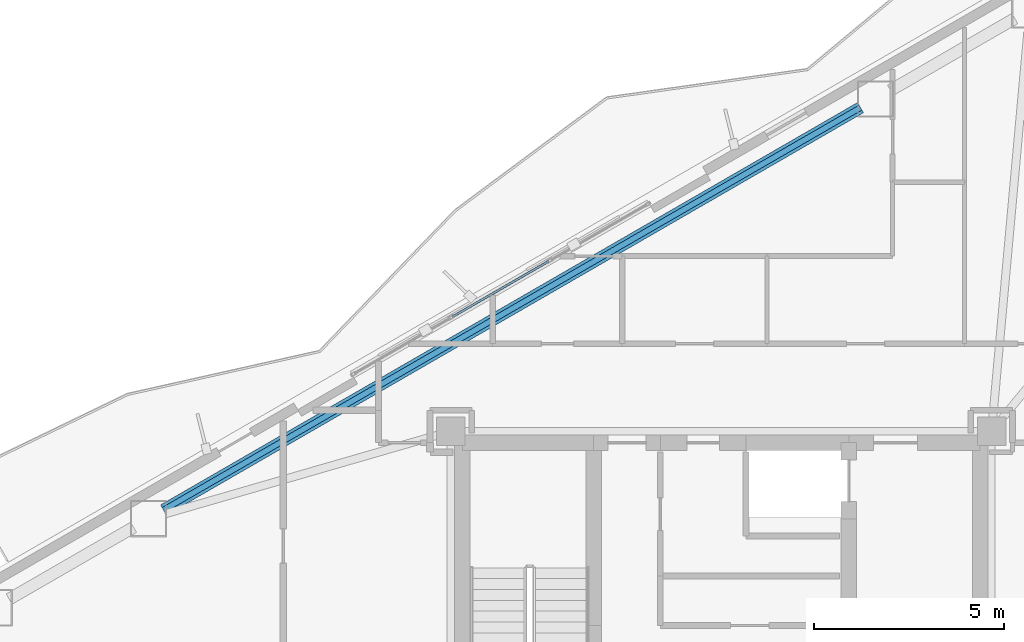
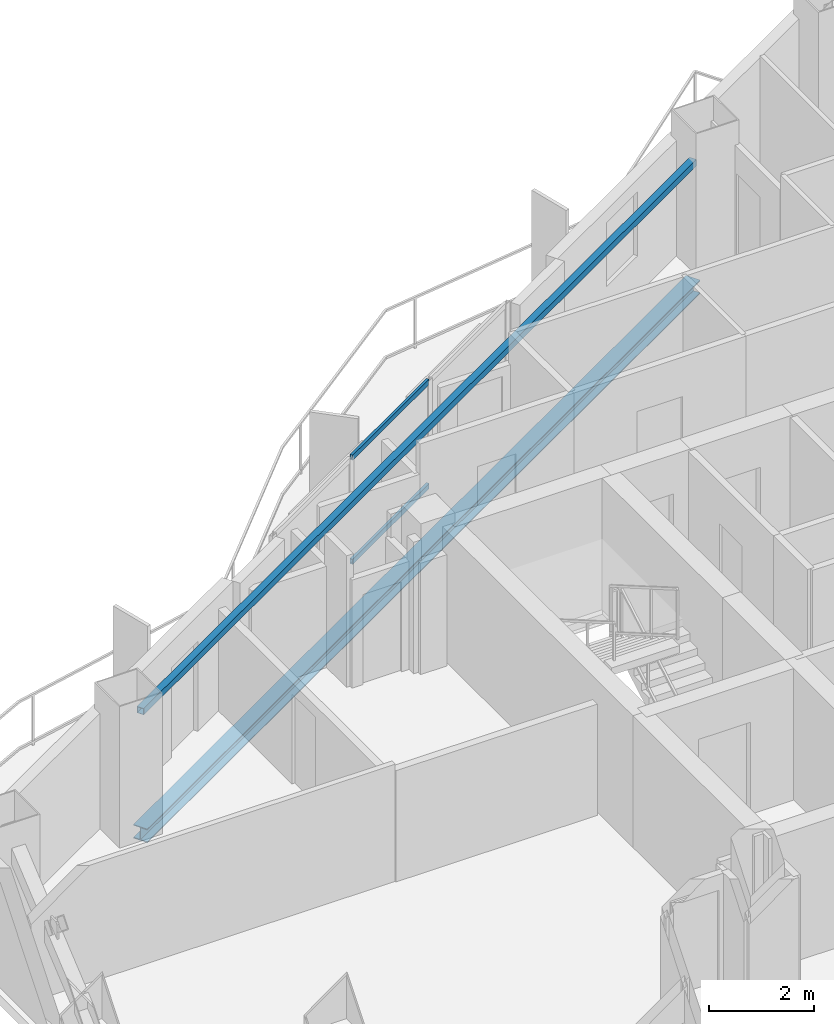
# One storey, part 9 of 21: 2 beams, 2 members, 1 element without a shape of its own.
"""IFC4 building model written with IfcOpenShell, lengths in metres."""

from ifc_helpers import new_model, si_unit, direction, frame, origin, origin_2d, place, context, subcontext, project, spatial, hollow_rectangle, i_section, extrude, material, layer, layer_set, material_profile, profile_set, type_object, element, aggregate, save


model = new_model("IFC4")

# Units and contexts
model_context = context("Model", 3, precision=1e-05, world=origin(), true_north=direction((0.0, 1.0)))
body_context = subcontext(model_context, "Body", "Model", "MODEL_VIEW")
ifc_project = project(units=[si_unit("LENGTHUNIT", "METRE"), si_unit("AREAUNIT", "SQUARE_METRE"), si_unit("VOLUMEUNIT", "CUBIC_METRE"), si_unit("PLANEANGLEUNIT", "RADIAN"), si_unit("MASSUNIT", "GRAM", prefix="KILO")], contexts=[model_context])

# Site, building, storey
site_placement = place(None, origin())
site = spatial("IfcSite", under=ifc_project, at=site_placement, CompositionType="ELEMENT")
building_placement = place(site_placement, origin())
building = spatial("IfcBuilding", under=site, at=building_placement, Name="Mersakhor Tower and Convention Hall", CompositionType="ELEMENT")
storey_placement = place(building_placement, frame((0.0, 0.0, 178.800048828125)))
storey = spatial("IfcBuildingStorey", under=building, at=storey_placement, Name="L49", CompositionType="ELEMENT", Elevation=178.800048828125)

# Beams
ifc_material_1 = material(Name="Steel S355", Category="steel")
ifc_material_profile_1 = material_profile(ifc_material_1, hollow_rectangle(XDim=0.14990234375, YDim=0.14990234375, WallThickness=0.010009765625, at=origin_2d()), Name="SHS 150x150x10")
ifc_profile_set_1 = profile_set([ifc_material_profile_1], Name="Steel S355")
beam_type_1 = type_object("IfcBeamType", Name="BM-GRT-SHS150", PredefinedType="USERDEFINED", material=ifc_profile_set_1)
beam_1_placement = place(storey_placement, frame((14.353759765625, 30.982421875, 2.47998046875), z_axis=(0.866028813665, 0.499994093867, 0.0), x_axis=(-0.499994093867, 0.866028813665, 0.0)))
element("IfcBeam", 1, at=beam_1_placement, inside=storey, type_object=beam_type_1, Name="L49 Facade Support Girt GRT-F1", ObjectType="GIRT", PredefinedType="USERDEFINED", context=body_context, shape_type="SweptSolid", body=[
    extrude(hollow_rectangle(XDim=0.14990234375, YDim=0.14990234375, WallThickness=0.010009765625, at=origin_2d()), origin(), (0.0, 0.0, 1.0), 21.135498046875),
])
ifc_material_2 = material(Name="Steel S355", Category="steel")
ifc_material_profile_2 = material_profile(ifc_material_2, i_section(OverallWidth=0.30908203125, OverallDepth=0.320556640625, WebThickness=0.013916015625, FlangeThickness=0.021728515625, at=origin_2d()), Name="UC 305x305x137")
ifc_profile_set_2 = profile_set([ifc_material_profile_2], Name="Steel S355")
beam_type_2 = type_object("IfcBeamType", Name="BM-SPD-UC305", PredefinedType="SPANDREL", material=ifc_profile_set_2)
beam_2_placement = place(storey_placement, frame((14.353759765625, 30.982421875, -0.39013671875), z_axis=(0.866028813665, 0.499994093867, 0.0), x_axis=(-0.499994093867, 0.866028813665, 0.0)))
element("IfcBeam", 2, at=beam_2_placement, inside=storey, type_object=beam_type_2, Name="L49 Perimeter Spandrel Beam SPB-02", PredefinedType="SPANDREL", context=body_context, shape_type="SweptSolid", body=[
    extrude(i_section(OverallWidth=0.30908203125, OverallDepth=0.320556640625, WebThickness=0.013916015625, FlangeThickness=0.021728515625, at=origin_2d()), origin(), (0.0, 0.0, 1.0), 21.135498046875),
])

# Curtain wall, members
ifc_material_3 = material(Name="Dark solar low-E aluminium curtain wall", Category="aluminium")
ifc_layer = layer(ifc_material_3, 0.169921875)
ifc_layer_set = layer_set([ifc_layer], Name="Dark solar low-E aluminium curtain wall")
curtain_wall_type = type_object("IfcCurtainWallType", Name="CW-SYS-02", PredefinedType="USERDEFINED", material=ifc_layer_set)
curtain_wall_placement = place(storey_placement, origin())
curtain_wall = element("IfcCurtainWall", 3, at=curtain_wall_placement, inside=storey, type_object=curtain_wall_type, Name="L49 Dark-Glass Curtain Wall F1-B2", ObjectType="CURTAIN WALL", PredefinedType="USERDEFINED")
ifc_material_4 = material(Name="Anodised aluminium EN AW-6063 T6", Category="aluminium")
ifc_material_profile_3 = material_profile(ifc_material_4, hollow_rectangle(XDim=0.06005859375, YDim=0.1201171875, WallThickness=0.0048828125, at=origin_2d()), Name="RHS 120x60x5")
ifc_profile_set_3 = profile_set([ifc_material_profile_3], Name="Anodised aluminium EN AW-6063 T6")
member_type = type_object("IfcMemberType", Name="CWT-120x60", PredefinedType="USERDEFINED", material=ifc_profile_set_3)
member_1_placement = place(storey_placement, frame((21.939453125, 36.0546875, 0.22998046875), z_axis=(0.866004860328, 0.500035580622, 0.0), x_axis=(-0.500035580622, 0.866004860328, 0.0)))
member_1 = element("IfcMember", 4, at=member_1_placement, type_object=member_type, Name="CW-02 transom 2.1", ObjectType="TRANSOM", PredefinedType="USERDEFINED", context=body_context, shape_type="SweptSolid", body=[
    extrude(hollow_rectangle(XDim=0.06005859375, YDim=0.1201171875, WallThickness=0.0048828125, at=origin_2d()), origin(), (0.0, 0.0, 1.0), 2.924560546875),
])
member_2_placement = place(storey_placement, frame((21.939453125, 36.0546875, 2.659912109375), z_axis=(0.866004860328, 0.500035580622, 0.0), x_axis=(-0.500035580622, 0.866004860328, 0.0)))
member_2 = element("IfcMember", 5, at=member_2_placement, type_object=member_type, Name="CW-02 transom 2.2", ObjectType="TRANSOM", PredefinedType="USERDEFINED", context=body_context, shape_type="SweptSolid", body=[
    extrude(hollow_rectangle(XDim=0.06005859375, YDim=0.1201171875, WallThickness=0.0048828125, at=origin_2d()), origin(), (0.0, 0.0, 1.0), 2.924560546875),
])
aggregate(curtain_wall, [member_1, member_2])

save(model, "model.ifc")
